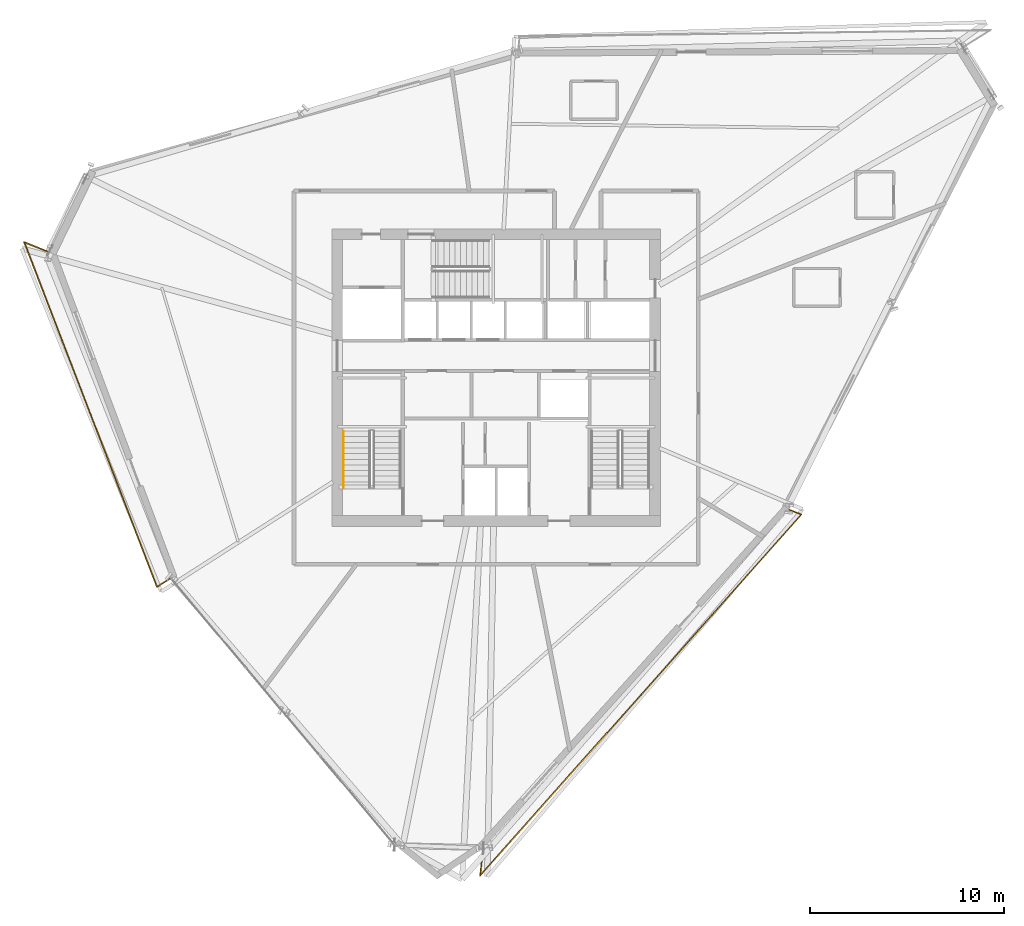
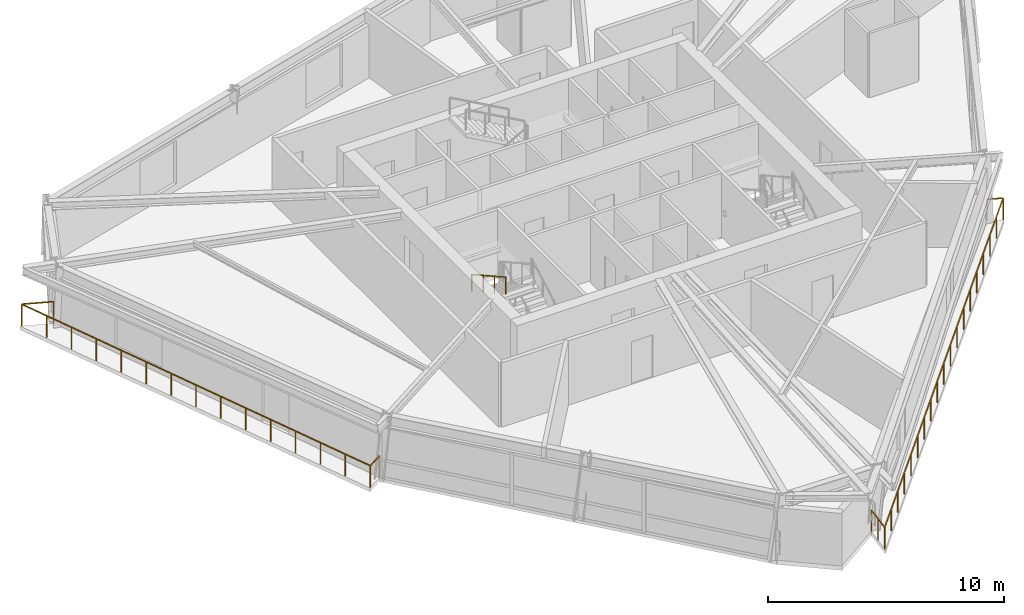
# One storey, part 13 of 15: 3 railings.
"""IFC4 building model written with IfcOpenShell, lengths in metres."""

from ifc_helpers import new_model, si_unit, direction, frame, origin, origin_2d, place, context, subcontext, project, spatial, rectangle, extrude, material, type_object, element, save


model = new_model("IFC4")

# Units and contexts
model_context = context("Model", 3, precision=1e-05, world=origin(), true_north=direction((0.0, 1.0)))
body_context = subcontext(model_context, "Body", "Model", "MODEL_VIEW")
ifc_project = project(units=[si_unit("LENGTHUNIT", "METRE"), si_unit("AREAUNIT", "SQUARE_METRE"), si_unit("VOLUMEUNIT", "CUBIC_METRE"), si_unit("PLANEANGLEUNIT", "RADIAN"), si_unit("MASSUNIT", "GRAM", prefix="KILO")], contexts=[model_context])

# Site, building, storey
site_placement = place(None, origin())
site = spatial("IfcSite", under=ifc_project, at=site_placement, CompositionType="ELEMENT")
building_placement = place(site_placement, origin())
building = spatial("IfcBuilding", under=site, at=building_placement, Name="Olszyna Solenne Hotel", CompositionType="ELEMENT")
storey_placement = place(building_placement, frame((0.0, 0.0, 164.35009765625)))
storey = spatial("IfcBuildingStorey", under=building, at=storey_placement, Name="L43", CompositionType="ELEMENT", Elevation=164.35009765625)

# Railings
ifc_material_1 = material(Name="Anodised bronze aluminium", Category="aluminium")
railing_type_1 = type_object("IfcRailingType", Name="GR-110", PredefinedType="BALUSTRADE", material=ifc_material_1)
railing_1_placement = place(storey_placement, frame((15.00439453125, 33.060302734375, 0.0)))
element("IfcRailing", 1, at=railing_1_placement, inside=storey, type_object=railing_type_1, Name="Loggia balcony balustrade guard GR-L43-LG2", PredefinedType="BALUSTRADE", context=body_context, shape_type="SweptSolid", body=[
    extrude(rectangle(XDim=0.048095703125, YDim=0.048095703125, at=origin_2d()), frame((0.0, 0.0, 1.1259765625), z_axis=(-0.927619621296, 0.373526221552, 0.0), x_axis=(-0.373526221552, -0.927619621296, 0.0)), (0.0, 0.0, 1.0), 1.379150390625),
    extrude(rectangle(XDim=0.048095703125, YDim=0.048095703125, at=origin_2d()), frame((-1.279296875, 0.51513671875, 1.1259765625), z_axis=(0.359405945345, -0.933181314885, 0.0), x_axis=(0.933181314885, 0.359405945345, 0.0)), (0.0, 0.0, 1.0), 19.0078125),
    extrude(rectangle(XDim=0.048095703125, YDim=0.048095703125, at=origin_2d()), frame((5.55224609375, -17.22265625, 1.1259765625), z_axis=(0.848791829927, 0.528727178656, 0.0), x_axis=(-0.528727178656, 0.848791829927, 0.0)), (0.0, 0.0, 1.0), 0.845947265625),
    extrude(rectangle(XDim=0.0419921875, YDim=0.0419921875, at=origin_2d()), origin(), (0.0, 0.0, 1.0), 1.101806640625),
    extrude(rectangle(XDim=0.0419921875, YDim=0.0419921875, at=origin_2d()), frame((-1.279296875, 0.51513671875, 0.0)), (0.0, 0.0, 1.0), 1.101806640625),
    extrude(rectangle(XDim=0.0419921875, YDim=0.0419921875, at=origin_2d()), frame((-0.791259765625, -0.751953125, 0.0)), (0.0, 0.0, 1.0), 1.101806640625),
    extrude(rectangle(XDim=0.0419921875, YDim=0.0419921875, at=origin_2d()), frame((-0.303466796875, -2.018798828125, 0.0)), (0.0, 0.0, 1.0), 1.101806640625),
    extrude(rectangle(XDim=0.0419921875, YDim=0.0419921875, at=origin_2d()), frame((0.1845703125, -3.285888671875, 0.0)), (0.0, 0.0, 1.0), 1.101806640625),
    extrude(rectangle(XDim=0.0419921875, YDim=0.0419921875, at=origin_2d()), frame((0.672607421875, -4.552734375, 0.0)), (0.0, 0.0, 1.0), 1.101806640625),
    extrude(rectangle(XDim=0.0419921875, YDim=0.0419921875, at=origin_2d()), frame((1.16064453125, -5.81982421875, 0.0)), (0.0, 0.0, 1.0), 1.101806640625),
    extrude(rectangle(XDim=0.0419921875, YDim=0.0419921875, at=origin_2d()), frame((1.6484375, -7.086669921875, 0.0)), (0.0, 0.0, 1.0), 1.101806640625),
    extrude(rectangle(XDim=0.0419921875, YDim=0.0419921875, at=origin_2d()), frame((2.136474609375, -8.353759765625, 0.0)), (0.0, 0.0, 1.0), 1.101806640625),
    extrude(rectangle(XDim=0.0419921875, YDim=0.0419921875, at=origin_2d()), frame((2.62451171875, -9.620849609375, 0.0)), (0.0, 0.0, 1.0), 1.101806640625),
    extrude(rectangle(XDim=0.0419921875, YDim=0.0419921875, at=origin_2d()), frame((3.1123046875, -10.8876953125, 0.0)), (0.0, 0.0, 1.0), 1.101806640625),
    extrude(rectangle(XDim=0.0419921875, YDim=0.0419921875, at=origin_2d()), frame((3.600341796875, -12.15478515625, 0.0)), (0.0, 0.0, 1.0), 1.101806640625),
    extrude(rectangle(XDim=0.0419921875, YDim=0.0419921875, at=origin_2d()), frame((4.08837890625, -13.421630859375, 0.0)), (0.0, 0.0, 1.0), 1.101806640625),
    extrude(rectangle(XDim=0.0419921875, YDim=0.0419921875, at=origin_2d()), frame((4.576416015625, -14.688720703125, 0.0)), (0.0, 0.0, 1.0), 1.101806640625),
    extrude(rectangle(XDim=0.0419921875, YDim=0.0419921875, at=origin_2d()), frame((5.064208984375, -15.95556640625, 0.0)), (0.0, 0.0, 1.0), 1.101806640625),
    extrude(rectangle(XDim=0.0419921875, YDim=0.0419921875, at=origin_2d()), frame((5.55224609375, -17.22265625, 0.0)), (0.0, 0.0, 1.0), 1.101806640625),
    extrude(rectangle(XDim=0.0419921875, YDim=0.0419921875, at=origin_2d()), frame((6.270263671875, -16.775390625, 0.0)), (0.0, 0.0, 1.0), 1.101806640625),
])
railing_2_placement = place(storey_placement, frame((37.331787109375, 2.393310546875, 0.0)))
element("IfcRailing", 2, at=railing_2_placement, inside=storey, type_object=railing_type_1, Name="Loggia balcony balustrade guard GR-L43-LG3", PredefinedType="BALUSTRADE", context=body_context, shape_type="SweptSolid", body=[
    extrude(rectangle(XDim=0.048095703125, YDim=0.048095703125, at=origin_2d()), frame((0.0, 0.0, 1.1259765625), z_axis=(-0.110488192965, -0.993877436717, 0.0), x_axis=(0.993877436717, -0.110488192965, 0.0)), (0.0, 0.0, 1.0), 1.418701171875),
    extrude(rectangle(XDim=0.048095703125, YDim=0.048095703125, at=origin_2d()), frame((-0.15673828125, -1.409912109375, 1.1259765625), z_axis=(0.664736781391, 0.747077647548, 0.0), x_axis=(-0.747077647548, 0.664736781391, 0.0)), (0.0, 0.0, 1.0), 24.861572265625),
    extrude(rectangle(XDim=0.048095703125, YDim=0.048095703125, at=origin_2d()), frame((16.36962890625, 17.16357421875, 1.1259765625), z_axis=(-0.927668995136, 0.373403582552, 0.0), x_axis=(-0.373403582552, -0.927668995136, 0.0)), (0.0, 0.0, 1.0), 0.689697265625),
    extrude(rectangle(XDim=0.0419921875, YDim=0.0419921875, at=origin_2d()), origin(), (0.0, 0.0, 1.0), 1.101806640625),
    extrude(rectangle(XDim=0.0419921875, YDim=0.0419921875, at=origin_2d()), frame((-0.078369140625, -0.705078125, 0.0)), (0.0, 0.0, 1.0), 1.101806640625),
    extrude(rectangle(XDim=0.0419921875, YDim=0.0419921875, at=origin_2d()), frame((-0.15673828125, -1.409912109375, 0.0)), (0.0, 0.0, 1.0), 1.101806640625),
    extrude(rectangle(XDim=0.0419921875, YDim=0.0419921875, at=origin_2d()), frame((0.761474609375, -0.3779296875, 0.0)), (0.0, 0.0, 1.0), 1.101806640625),
    extrude(rectangle(XDim=0.0419921875, YDim=0.0419921875, at=origin_2d()), frame((1.679443359375, 0.65380859375, 0.0)), (0.0, 0.0, 1.0), 1.101806640625),
    extrude(rectangle(XDim=0.0419921875, YDim=0.0419921875, at=origin_2d()), frame((2.59765625, 1.685546875, 0.0)), (0.0, 0.0, 1.0), 1.101806640625),
    extrude(rectangle(XDim=0.0419921875, YDim=0.0419921875, at=origin_2d()), frame((3.515869140625, 2.717529296875, 0.0)), (0.0, 0.0, 1.0), 1.101806640625),
    extrude(rectangle(XDim=0.0419921875, YDim=0.0419921875, at=origin_2d()), frame((4.433837890625, 3.74951171875, 0.0)), (0.0, 0.0, 1.0), 1.101806640625),
    extrude(rectangle(XDim=0.0419921875, YDim=0.0419921875, at=origin_2d()), frame((5.35205078125, 4.78125, 0.0)), (0.0, 0.0, 1.0), 1.101806640625),
    extrude(rectangle(XDim=0.0419921875, YDim=0.0419921875, at=origin_2d()), frame((6.270263671875, 5.81298828125, 0.0)), (0.0, 0.0, 1.0), 1.101806640625),
    extrude(rectangle(XDim=0.0419921875, YDim=0.0419921875, at=origin_2d()), frame((7.188232421875, 6.844970703125, 0.0)), (0.0, 0.0, 1.0), 1.101806640625),
    extrude(rectangle(XDim=0.0419921875, YDim=0.0419921875, at=origin_2d()), frame((8.1064453125, 7.876953125, 0.0)), (0.0, 0.0, 1.0), 1.101806640625),
    extrude(rectangle(XDim=0.0419921875, YDim=0.0419921875, at=origin_2d()), frame((9.024658203125, 8.90869140625, 0.0)), (0.0, 0.0, 1.0), 1.101806640625),
    extrude(rectangle(XDim=0.0419921875, YDim=0.0419921875, at=origin_2d()), frame((9.942626953125, 9.940673828125, 0.0)), (0.0, 0.0, 1.0), 1.101806640625),
    extrude(rectangle(XDim=0.0419921875, YDim=0.0419921875, at=origin_2d()), frame((10.86083984375, 10.972412109375, 0.0)), (0.0, 0.0, 1.0), 1.101806640625),
    extrude(rectangle(XDim=0.0419921875, YDim=0.0419921875, at=origin_2d()), frame((11.779052734375, 12.00439453125, 0.0)), (0.0, 0.0, 1.0), 1.101806640625),
    extrude(rectangle(XDim=0.0419921875, YDim=0.0419921875, at=origin_2d()), frame((12.697021484375, 13.0361328125, 0.0)), (0.0, 0.0, 1.0), 1.101806640625),
    extrude(rectangle(XDim=0.0419921875, YDim=0.0419921875, at=origin_2d()), frame((13.615234375, 14.06787109375, 0.0)), (0.0, 0.0, 1.0), 1.101806640625),
    extrude(rectangle(XDim=0.0419921875, YDim=0.0419921875, at=origin_2d()), frame((14.533447265625, 15.099853515625, 0.0)), (0.0, 0.0, 1.0), 1.101806640625),
    extrude(rectangle(XDim=0.0419921875, YDim=0.0419921875, at=origin_2d()), frame((15.451416015625, 16.1318359375, 0.0)), (0.0, 0.0, 1.0), 1.101806640625),
    extrude(rectangle(XDim=0.0419921875, YDim=0.0419921875, at=origin_2d()), frame((16.36962890625, 17.16357421875, 0.0)), (0.0, 0.0, 1.0), 1.101806640625),
    extrude(rectangle(XDim=0.0419921875, YDim=0.0419921875, at=origin_2d()), frame((15.729736328125, 17.421142578125, 0.0)), (0.0, 0.0, 1.0), 1.101806640625),
])
ifc_material_2 = material(Name="Steel S355J2", Category="steel")
railing_type_2 = type_object("IfcRailingType", Name="HR-090", PredefinedType="HANDRAIL", material=ifc_material_2)
railing_3_placement = place(storey_placement, frame((30.14990234375, 23.85009765625, 1.936279296875)))
element("IfcRailing", 3, at=railing_3_placement, inside=storey, type_object=railing_type_2, Name="L43 ST1 stair handrail 2", PredefinedType="HANDRAIL", context=body_context, shape_type="SweptSolid", body=[
    extrude(rectangle(XDim=0.048095703125, YDim=0.048095703125, at=origin_2d()), frame((0.0, 0.0, 0.8759765625), z_axis=(0.0, -0.873858693841, 0.486179990537), x_axis=(1.0, 0.0, 0.0)), (0.0, 0.0, 1.0), 3.31884765625),
    extrude(rectangle(XDim=0.0419921875, YDim=0.0419921875, at=origin_2d()), origin(), (0.0, 0.0, 1.0), 0.851806640625),
    extrude(rectangle(XDim=0.0419921875, YDim=0.0419921875, at=origin_2d()), frame((0.0, -0.966796875, 0.537841796875)), (0.0, 0.0, 1.0), 0.851806640625),
    extrude(rectangle(XDim=0.0419921875, YDim=0.0419921875, at=origin_2d()), frame((0.0, -1.933349609375, 1.07568359375)), (0.0, 0.0, 1.0), 0.851806640625),
    extrude(rectangle(XDim=0.0419921875, YDim=0.0419921875, at=origin_2d()), frame((0.0, -2.900146484375, 1.613525390625)), (0.0, 0.0, 1.0), 0.851806640625),
])

save(model, "model.ifc")
